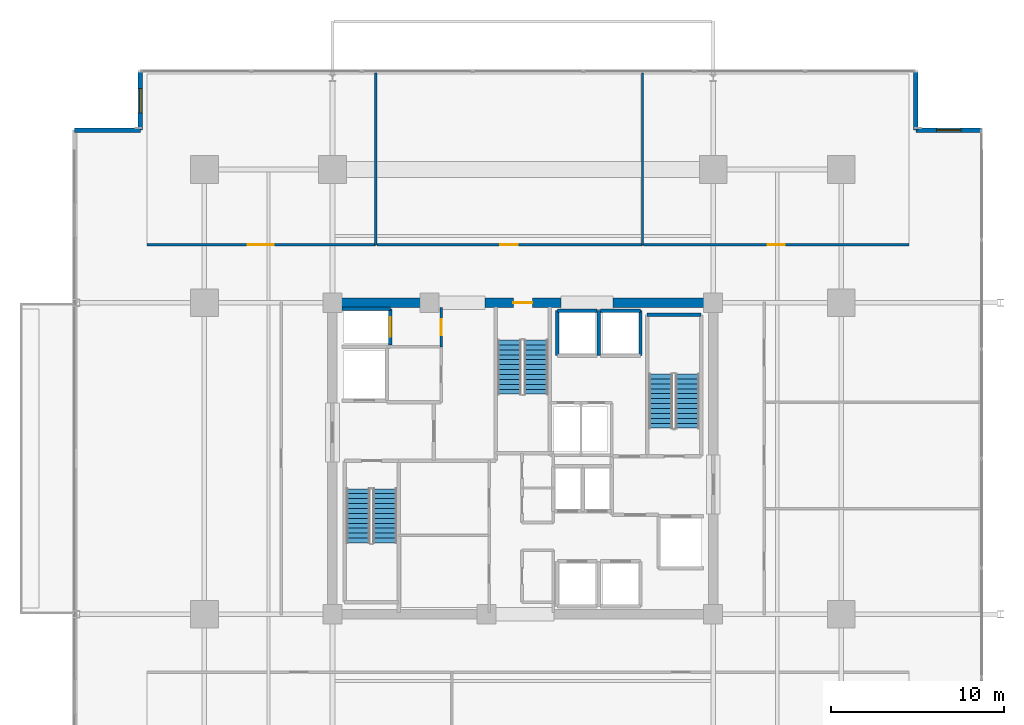
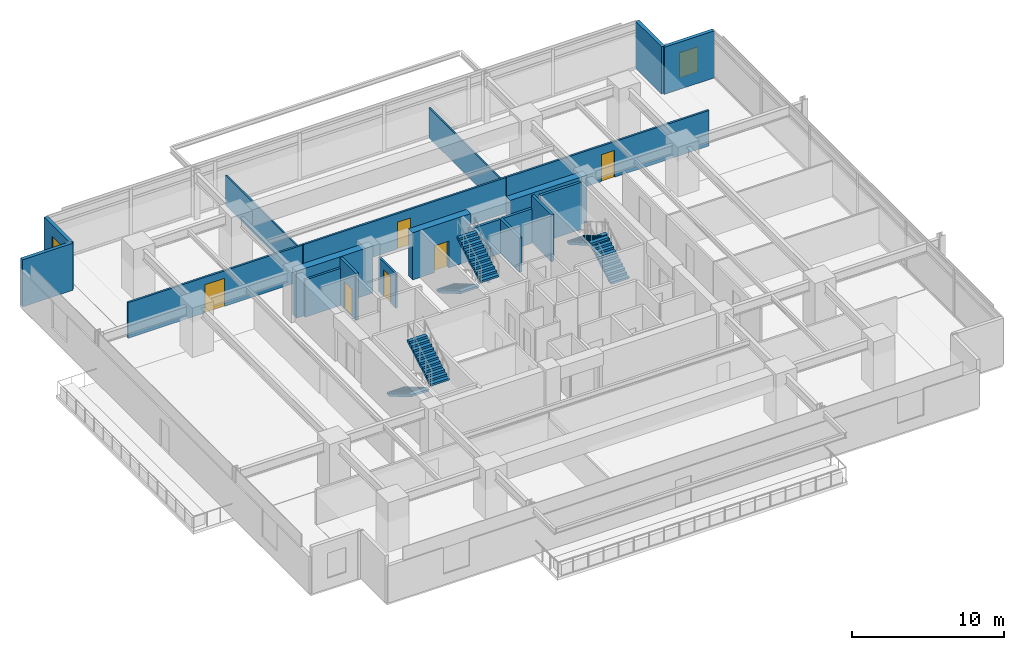
# One storey, part 18 of 24: 21 walls, 6 doors, 6 stair flights, 2 windows, 8 openings, 3 elements without a shape of their own.
"""IFC4 building model written with IfcOpenShell, lengths in metres."""

from ifc_helpers import new_model, si_unit, direction, frame, frame_2d, origin, place, context, subcontext, project, spatial, polyline, rectangle, outline, extrude, material, layer, layer_set, type_object, element, fill, aggregate, save


model = new_model("IFC4")

# Units and contexts
model_context = context("Model", 3, precision=1e-05, world=origin(), true_north=direction((0.0, 1.0)))
body_context = subcontext(model_context, "Body", "Model", "MODEL_VIEW")
ifc_project = project(units=[si_unit("LENGTHUNIT", "METRE"), si_unit("AREAUNIT", "SQUARE_METRE"), si_unit("VOLUMEUNIT", "CUBIC_METRE"), si_unit("PLANEANGLEUNIT", "RADIAN"), si_unit("MASSUNIT", "GRAM", prefix="KILO")], contexts=[model_context])

# Site, building, storey
site_placement = place(None, origin())
site = spatial("IfcSite", under=ifc_project, at=site_placement, CompositionType="ELEMENT")
building_placement = place(site_placement, origin())
building = spatial("IfcBuilding", under=site, at=building_placement, Name="Kovane Verandah Tower", CompositionType="ELEMENT")
storey_placement = place(building_placement, frame((0.0, 0.0, 144.39990234375)))
storey = spatial("IfcBuildingStorey", under=building, at=storey_placement, Name="L33", CompositionType="ELEMENT", Elevation=144.39990234375)

# Wall, opening, door
ifc_material_1 = material(Name="Fire-Rated Gypsum Stud Partition", Category="gypsum")
ifc_layer_1 = layer(ifc_material_1, 0.14990234375)
ifc_layer_set_1 = layer_set([ifc_layer_1], Name="Fire-Rated Gypsum Stud Partition")
wall_type_1 = type_object("IfcWallType", Name="WL-COR-150", PredefinedType="PARTITIONING", material=ifc_layer_set_1)
wall_1_placement = place(storey_placement, frame((35.280029296875, 33.949951171875, 0.0), z_axis=(0.0, 0.0, 1.0), x_axis=(0.0, 1.0, 0.0)))
wall_1 = element("IfcWall", 1, at=wall_1_placement, inside=storey, type_object=wall_type_1, Name="L33 Goods Lift Lobby East Fire Partition", PredefinedType="PARTITIONING", context=body_context, shape_type="SweptSolid", body=[
    extrude(rectangle(XDim=2.27001953125, YDim=0.14990234375, at=frame_2d((1.135009765625, 0.0))), origin(), (0.0, 0.0, 1.0), 2.755126953125),
])
opening_1_placement = place(wall_1_placement, frame((0.659912109375, 0.0, 0.0)))
opening_1 = element("IfcOpeningElement", 2, at=opening_1_placement, cuts=wall_1, Name="Opening DR-L33-008", PredefinedType="OPENING", context=body_context, shape_type="SweptSolid", body=[
    extrude(rectangle(XDim=0.949951171875, YDim=2.14990234375, at=frame_2d((0.47509765625, 1.074951171875))), frame((0.0, 0.074951171875, 0.0), z_axis=(0.0, -1.0, 0.0), x_axis=(1.0, 0.0, 0.0)), (0.0, 0.0, 1.0), 0.14990234375),
])
ifc_material_2 = material(Name="Fire-Rated Steel Refuge and Lobby Door", Category="steel")
door_type_1 = type_object("IfcDoorType", Name="DR-FIRE-950", OperationType="SINGLE_SWING_LEFT", PredefinedType="DOOR", material=ifc_material_2)
door_1_placement = place(opening_1_placement, origin())
door_1 = element("IfcDoor", 3, at=door_1_placement, inside=storey, type_object=door_type_1, Name="L33 Goods Lift Lobby Fire Door", OperationType="SINGLE_SWING_RIGHT", OverallHeight=2.14990234375, OverallWidth=0.949951171875, PredefinedType="DOOR", context=body_context, shape_type="SweptSolid", body=[
    extrude(rectangle(XDim=0.949951171875, YDim=2.14990234375, at=frame_2d((0.47509765625, 1.074951171875))), frame((0.0, 0.02490234375, 0.0), z_axis=(0.0, -1.0, 0.0), x_axis=(1.0, 0.0, 0.0)), (0.0, 0.0, 1.0), 0.050048828125),
])
fill(opening_1, door_1)

wall_2_placement = place(storey_placement, frame((18.29296875, 39.85009765625, 0.0), z_axis=(0.0, 0.0, 1.0), x_axis=(1.0, 0.0, 0.0)))
wall_2 = element("IfcWall", 4, at=wall_2_placement, inside=storey, type_object=wall_type_1, Name="L33 Client Boardroom N1 Corridor Partition", PredefinedType="PARTITIONING", context=body_context, shape_type="SweptSolid", body=[
    extrude(rectangle(XDim=13.206298828125, YDim=0.14990234375, at=frame_2d((6.60302734375, 0.0))), origin(), (0.0, 0.0, 1.0), 2.85009765625),
])
opening_2_placement = place(wall_2_placement, frame((5.818115234375, 0.0, 0.0)))
opening_2 = element("IfcOpeningElement", 5, at=opening_2_placement, cuts=wall_2, Name="Opening DR-L33-019", PredefinedType="OPENING", context=body_context, shape_type="SweptSolid", body=[
    extrude(rectangle(XDim=1.5, YDim=2.25, at=frame_2d((0.75, 1.125))), frame((0.0, 0.074951171875, 0.0), z_axis=(0.0, -1.0, 0.0), x_axis=(1.0, 0.0, 0.0)), (0.0, 0.0, 1.0), 0.14990234375),
])
ifc_material_3 = material(Name="Glazed Timber Fire-Rated Double Door", Category="wood")
door_type_2 = type_object("IfcDoorType", Name="DR-CONF-1500", OperationType="DOUBLE_DOOR_SINGLE_SWING", PredefinedType="DOOR", material=ifc_material_3)
door_2_placement = place(opening_2_placement, origin())
door_2 = element("IfcDoor", 6, at=door_2_placement, inside=storey, type_object=door_type_2, Name="L33 Client Boardroom N1 Entrance Door", OperationType="DOUBLE_DOOR_SINGLE_SWING", OverallHeight=2.25, OverallWidth=1.5, PredefinedType="DOOR", context=body_context, shape_type="SweptSolid", body=[
    extrude(rectangle(XDim=1.5, YDim=2.25, at=frame_2d((0.75, 1.125))), frame((0.0, 0.02490234375, 0.0), z_axis=(0.0, -1.0, 0.0), x_axis=(1.0, 0.0, 0.0)), (0.0, 0.0, 1.0), 0.050048828125),
])
fill(opening_2, door_2)

wall_3_placement = place(storey_placement, frame((31.569091796875, 39.85009765625, 0.0), z_axis=(0.0, 0.0, 1.0), x_axis=(1.0, 0.0, 0.0)))
wall_3 = element("IfcWall", 7, at=wall_3_placement, inside=storey, type_object=wall_type_1, Name="L33 Meeting Room N2 Corridor Partition", PredefinedType="PARTITIONING", context=body_context, shape_type="SweptSolid", body=[
    extrude(rectangle(XDim=15.33740234375, YDim=0.14990234375, at=frame_2d((7.668701171875, 0.0))), origin(), (0.0, 0.0, 1.0), 2.85009765625),
])
opening_3_placement = place(wall_3_placement, frame((7.133544921875, 0.0, 0.0)))
opening_3 = element("IfcOpeningElement", 8, at=opening_3_placement, cuts=wall_3, Name="Opening DR-L33-020", PredefinedType="OPENING", context=body_context, shape_type="SweptSolid", body=[
    extrude(rectangle(XDim=1.0, YDim=2.14990234375, at=frame_2d((0.5, 1.074951171875))), frame((0.0, 0.074951171875, 0.0), z_axis=(0.0, -1.0, 0.0), x_axis=(1.0, 0.0, 0.0)), (0.0, 0.0, 1.0), 0.14990234375),
])
ifc_material_4 = material(Name="FSC Spotted-Gum Timber Fire-Rated Office Door", Category="wood")
door_type_3 = type_object("IfcDoorType", Name="DR-OFF-1000", OperationType="SINGLE_SWING_LEFT", PredefinedType="DOOR", material=ifc_material_4)
door_3_placement = place(opening_3_placement, origin())
door_3 = element("IfcDoor", 9, at=door_3_placement, inside=storey, type_object=door_type_3, Name="L33 Meeting Room N2 Entrance Door", OperationType="SINGLE_SWING_LEFT", OverallHeight=2.14990234375, OverallWidth=1.0, PredefinedType="DOOR", context=body_context, shape_type="SweptSolid", body=[
    extrude(rectangle(XDim=1.0, YDim=2.14990234375, at=frame_2d((0.5, 1.074951171875))), frame((0.0, 0.02490234375, 0.0), z_axis=(0.0, -1.0, 0.0), x_axis=(1.0, 0.0, 0.0)), (0.0, 0.0, 1.0), 0.050048828125),
])
fill(opening_3, door_3)

wall_4_placement = place(storey_placement, frame((46.9765625, 39.85009765625, 0.0), z_axis=(0.0, 0.0, 1.0), x_axis=(1.0, 0.0, 0.0)))
wall_4 = element("IfcWall", 10, at=wall_4_placement, inside=storey, type_object=wall_type_1, Name="L33 Focus Studio N3 Corridor Partition", PredefinedType="PARTITIONING", context=body_context, shape_type="SweptSolid", body=[
    extrude(rectangle(XDim=15.337158203125, YDim=0.14990234375, at=frame_2d((7.66845703125, 0.0))), origin(), (0.0, 0.0, 1.0), 2.85009765625),
])
opening_4_placement = place(wall_4_placement, frame((7.168701171875, 0.0, 0.0)))
opening_4 = element("IfcOpeningElement", 11, at=opening_4_placement, cuts=wall_4, Name="Opening DR-L33-021", PredefinedType="OPENING", context=body_context, shape_type="SweptSolid", body=[
    extrude(rectangle(XDim=1.0, YDim=2.14990234375, at=frame_2d((0.5, 1.074951171875))), frame((0.0, 0.074951171875, 0.0), z_axis=(0.0, -1.0, 0.0), x_axis=(1.0, 0.0, 0.0)), (0.0, 0.0, 1.0), 0.14990234375),
])
door_4_placement = place(opening_4_placement, origin())
door_4 = element("IfcDoor", 12, at=door_4_placement, inside=storey, type_object=door_type_3, Name="L33 Focus Studio N3 Entrance Door", OperationType="SINGLE_SWING_RIGHT", OverallHeight=2.14990234375, OverallWidth=1.0, PredefinedType="DOOR", context=body_context, shape_type="SweptSolid", body=[
    extrude(rectangle(XDim=1.0, YDim=2.14990234375, at=frame_2d((0.5, 1.074951171875))), frame((0.0, 0.02490234375, 0.0), z_axis=(0.0, -1.0, 0.0), x_axis=(1.0, 0.0, 0.0)), (0.0, 0.0, 1.0), 0.050048828125),
])
fill(opening_4, door_4)

# Wall
ifc_material_5 = material(Name="Concrete C60/75", Category="concrete")
ifc_layer_2 = layer(ifc_material_5, 0.550048828125)
ifc_layer_set_2 = layer_set([ifc_layer_2], Name="Concrete C60/75")
wall_type_2 = type_object("IfcWallType", Name="WL-CORE-550", PredefinedType="SHEAR", material=ifc_layer_set_2)
wall_5_placement = place(storey_placement, frame((29.0, 36.5, 0.0), z_axis=(0.0, 0.0, 1.0), x_axis=(1.0, 0.0, 0.0)))
element("IfcWall", 13, at=wall_5_placement, inside=storey, type_object=wall_type_2, Name="L33 Core Shear Wall CN-1", PredefinedType="SHEAR", context=body_context, shape_type="SweptSolid", body=[
    extrude(rectangle(XDim=5.800048828125, YDim=0.550048828125, at=frame_2d((2.89990234375, 0.0))), origin(), (0.0, 0.0, 1.0), 3.775146484375),
])

# Wall, opening, door
wall_6_placement = place(storey_placement, frame((37.800048828125, 36.5, 0.0), z_axis=(0.0, 0.0, 1.0), x_axis=(1.0, 0.0, 0.0)))
wall_6 = element("IfcWall", 14, at=wall_6_placement, inside=storey, type_object=wall_type_2, Name="L33 Core Shear Wall CN-2", PredefinedType="SHEAR", context=body_context, shape_type="SweptSolid", body=[
    extrude(rectangle(XDim=4.39990234375, YDim=0.550048828125, at=frame_2d((2.199951171875, 0.0))), origin(), (0.0, 0.0, 1.0), 3.775146484375),
])
opening_5_placement = place(wall_6_placement, frame((1.64990234375, 0.0, 0.0)))
opening_5 = element("IfcOpeningElement", 15, at=opening_5_placement, cuts=wall_6, Name="Opening DR-L33-011", PredefinedType="OPENING", context=body_context, shape_type="SweptSolid", body=[
    extrude(rectangle(XDim=1.10009765625, YDim=2.14990234375, at=frame_2d((0.550048828125, 1.074951171875))), frame((0.0, 0.27490234375, 0.0), z_axis=(0.0, -1.0, 0.0), x_axis=(1.0, 0.0, 0.0)), (0.0, 0.0, 1.0), 0.550048828125),
])
ifc_material_6 = material(Name="Fire-Rated Steel Exit Door", Category="steel")
door_type_4 = type_object("IfcDoorType", Name="DR-STAIR-1100", OperationType="SINGLE_SWING_LEFT", PredefinedType="DOOR", material=ifc_material_6)
door_5_placement = place(opening_5_placement, origin())
door_5 = element("IfcDoor", 16, at=door_5_placement, inside=storey, type_object=door_type_4, Name="L33 ST-03 Fire Exit Stair Door", OperationType="SINGLE_SWING_RIGHT", OverallHeight=2.14990234375, OverallWidth=1.10009765625, PredefinedType="DOOR", context=body_context, shape_type="SweptSolid", body=[
    extrude(rectangle(XDim=1.10009765625, YDim=2.14990234375, at=frame_2d((0.550048828125, 1.074951171875))), frame((0.0, 0.02490234375, 0.0), z_axis=(0.0, -1.0, 0.0), x_axis=(1.0, 0.0, 0.0)), (0.0, 0.0, 1.0), 0.050048828125),
])
fill(opening_5, door_5)

# Walls
wall_7_placement = place(storey_placement, frame((45.199951171875, 36.5, 0.0), z_axis=(0.0, 0.0, 1.0), x_axis=(1.0, 0.0, 0.0)))
element("IfcWall", 17, at=wall_7_placement, inside=storey, type_object=wall_type_2, Name="L33 Core Shear Wall CN-3", PredefinedType="SHEAR", context=body_context, shape_type="SweptSolid", body=[
    extrude(rectangle(XDim=5.800048828125, YDim=0.550048828125, at=frame_2d((2.89990234375, 0.0))), origin(), (0.0, 0.0, 1.0), 3.775146484375),
])
ifc_material_7 = material(Name="Concrete C45/55 Lift Shaft Wall", Category="concrete")
ifc_layer_3 = layer(ifc_material_7, 0.199951171875)
ifc_layer_set_3 = layer_set([ifc_layer_3], Name="Concrete C45/55 Lift Shaft Wall")
wall_type_3 = type_object("IfcWallType", Name="WL-LIFT-200", PredefinedType="SOLIDWALL", material=ifc_layer_set_3)
wall_8_placement = place(storey_placement, frame((32.35009765625, 36.14990234375, 0.0), z_axis=(0.0, 0.0, 1.0), x_axis=(-1.0, 0.0, 0.0)))
element("IfcWall", 18, at=wall_8_placement, inside=storey, type_object=wall_type_3, Name="L33 Lift GL-01 N Shaft Wall", PredefinedType="SOLIDWALL", context=body_context, shape_type="SweptSolid", body=[
    extrude(rectangle(XDim=2.800048828125, YDim=0.199951171875, at=frame_2d((1.39990234375, 0.0))), origin(), (0.0, 0.0, 1.0), 2.9853515625),
])

# Wall, opening, door
wall_9_placement = place(storey_placement, frame((32.35009765625, 34.050048828125, 0.0), z_axis=(0.0, 0.0, 1.0), x_axis=(0.0, 1.0, 0.0)))
wall_9 = element("IfcWall", 19, at=wall_9_placement, inside=storey, type_object=wall_type_3, Name="L33 Lift GL-01 E Shaft Wall", PredefinedType="SOLIDWALL", context=body_context, shape_type="SweptSolid", body=[
    extrude(rectangle(XDim=2.099853515625, YDim=0.199951171875, at=frame_2d((1.0498046875, 0.0))), origin(), (0.0, 0.0, 1.0), 3.775146484375),
])
opening_6_placement = place(wall_9_placement, frame((0.5, 0.0, 0.0)))
opening_6 = element("IfcOpeningElement", 20, at=opening_6_placement, cuts=wall_9, Name="Opening LD-L33-003", PredefinedType="OPENING", context=body_context, shape_type="SweptSolid", body=[
    extrude(rectangle(XDim=1.10009765625, YDim=2.199951171875, at=frame_2d((0.550048828125, 1.10009765625))), frame((0.0, 0.10009765625, 0.0), z_axis=(0.0, -1.0, 0.0), x_axis=(1.0, 0.0, 0.0)), (0.0, 0.0, 1.0), 0.199951171875),
])
ifc_material_8 = material(Name="Brushed Stainless Steel Sliding Lift Landing Door", Category="steel")
door_type_5 = type_object("IfcDoorType", Name="DR-LIFT-1100", OperationType="SLIDING_TO_RIGHT", PredefinedType="DOOR", material=ifc_material_8)
door_6_placement = place(opening_6_placement, origin())
door_6 = element("IfcDoor", 21, at=door_6_placement, inside=storey, type_object=door_type_5, Name="L33 Lift GL-01 Sliding Landing Door", OperationType="SLIDING_TO_RIGHT", OverallHeight=2.199951171875, OverallWidth=1.10009765625, PredefinedType="DOOR", context=body_context, shape_type="SweptSolid", body=[
    extrude(rectangle(XDim=1.10009765625, YDim=2.199951171875, at=frame_2d((0.550048828125, 1.10009765625))), frame((0.0, 0.02490234375, 0.0), z_axis=(0.0, -1.0, 0.0), x_axis=(1.0, 0.0, 0.0)), (0.0, 0.0, 1.0), 0.050048828125),
])
fill(opening_6, door_6)

# Walls
wall_10_placement = place(storey_placement, frame((44.300048828125, 36.050048828125, 0.0), z_axis=(0.0, 0.0, 1.0), x_axis=(-1.0, 0.0, 0.0)))
element("IfcWall", 22, at=wall_10_placement, inside=storey, type_object=wall_type_3, Name="L33 Lift SL-01 N Shaft Wall", PredefinedType="SOLIDWALL", context=body_context, shape_type="SweptSolid", body=[
    extrude(rectangle(XDim=2.300048828125, YDim=0.199951171875, at=frame_2d((1.14990234375, 0.0))), origin(), (0.0, 0.0, 1.0), 2.755126953125),
])
for number, where, z_axis, x_axis, name in (
    (23, (42.0, 36.050048828125, 0.0), (0.0, 0.0, 1.0), (0.0, -1.0, 0.0), "L33 Lift SL-01 W Shaft Wall"),
    (24, (44.39990234375, 33.449951171875, 0.0), (0.0, 0.0, 1.0), (0.0, 1.0, 0.0), "L33 Lift OL-01 and SL-01 Shared Shaft Wall"),
):
    element("IfcWall", number, at=place(storey_placement, frame(where, z_axis=z_axis, x_axis=x_axis)), inside=storey, type_object=wall_type_3, Name=name, PredefinedType="SOLIDWALL", context=body_context, shape_type="SweptSolid", body=[
        extrude(rectangle(XDim=2.60009765625, YDim=0.199951171875, at=frame_2d((1.300048828125, 0.0))), origin(), (0.0, 0.0, 1.0), 2.755126953125),
    ])
wall_11_placement = place(storey_placement, frame((46.800048828125, 36.050048828125, 0.0), z_axis=(0.0, 0.0, 1.0), x_axis=(-1.0, 0.0, 0.0)))
element("IfcWall", 25, at=wall_11_placement, inside=storey, type_object=wall_type_3, Name="L33 Lift OL-01 N Shaft Wall", PredefinedType="SOLIDWALL", context=body_context, shape_type="SweptSolid", body=[
    extrude(rectangle(XDim=2.300048828125, YDim=0.199951171875, at=frame_2d((1.14990234375, 0.0))), origin(), (0.0, 0.0, 1.0), 2.755126953125),
])
wall_12_placement = place(storey_placement, frame((46.800048828125, 33.449951171875, 0.0), z_axis=(0.0, 0.0, 1.0), x_axis=(0.0, 1.0, 0.0)))
element("IfcWall", 26, at=wall_12_placement, inside=storey, type_object=wall_type_3, Name="L33 Lift OL-01 E Shaft Wall", PredefinedType="SOLIDWALL", context=body_context, shape_type="SweptSolid", body=[
    extrude(rectangle(XDim=2.60009765625, YDim=0.199951171875, at=frame_2d((1.300048828125, 0.0))), origin(), (0.0, 0.0, 1.0), 3.775146484375),
])
ifc_material_9 = material(Name="Acoustic Fire-Rated Gypsum Partition", Category="gypsum")
ifc_layer_4 = layer(ifc_material_9, 0.1201171875)
ifc_layer_set_4 = layer_set([ifc_layer_4], Name="Acoustic Fire-Rated Gypsum Partition")
wall_type_4 = type_object("IfcWallType", Name="WL-PART-120", PredefinedType="PARTITIONING", material=ifc_layer_set_4)
for number, where, z_axis, x_axis, name in (
    (27, (31.499267578125, 39.85009765625, 0.0), (0.0, 0.0, 1.0), (0.0, 1.0, 0.0), "L33 Client Boardroom N1 Dividing Partition"),
    (28, (46.906494140625, 39.85009765625, 0.0), (0.0, 0.0, 1.0), (0.0, 1.0, 0.0), "L33 Meeting Room N2 Dividing Partition"),
):
    element("IfcWall", number, at=place(storey_placement, frame(where, z_axis=z_axis, x_axis=x_axis)), inside=storey, type_object=wall_type_4, Name=name, PredefinedType="PARTITIONING", context=body_context, shape_type="SweptSolid", body=[
        extrude(rectangle(XDim=9.9248046875, YDim=0.1201171875, at=frame_2d((4.96240234375, 0.0))), origin(), (0.0, 0.0, 1.0), 2.405029296875),
    ])
ifc_material_10 = material(Name="Concrete C45/55", Category="concrete")
ifc_layer_5 = layer(ifc_material_10, 0.199951171875)
ifc_layer_set_5 = layer_set([ifc_layer_5], Name="Concrete C45/55")
wall_type_5 = type_object("IfcWallType", Name="WL-SHAFT-200", PredefinedType="SOLIDWALL", material=ifc_layer_set_5)
wall_13_placement = place(storey_placement, frame((47.179931640625, 35.800048828125, 0.0), z_axis=(0.0, 0.0, 1.0), x_axis=(1.0, 0.0, 0.0)))
element("IfcWall", 29, at=wall_13_placement, inside=storey, type_object=wall_type_5, Name="W-L33-ST02-N", PredefinedType="SOLIDWALL", context=body_context, shape_type="SweptSolid", body=[
    extrude(rectangle(XDim=3.1201171875, YDim=0.199951171875, at=frame_2d((1.56005859375, 0.0))), origin(), (0.0, 0.0, 1.0), 3.775146484375),
])

# Wall, opening, window
ifc_material_11 = material(Name="Concrete C45/55 Insulated Spandrel Wall", Category="concrete")
ifc_layer_6 = layer(ifc_material_11, 0.260009765625)
ifc_layer_set_6 = layer_set([ifc_layer_6], Name="Concrete C45/55 Insulated Spandrel Wall")
wall_type_6 = type_object("IfcWallType", Name="WL-SPANDREL-260", PredefinedType="PARAPET", material=ifc_layer_set_6)
wall_14_placement = place(storey_placement, frame((66.513916015625, 46.47509765625, 0.0), z_axis=(0.0, 0.0, 1.0), x_axis=(-1.0, 0.0, 0.0)))
wall_14 = element("IfcWall", 30, at=wall_14_placement, inside=storey, type_object=wall_type_6, Name="L33 NE Notch Cheek Wall 1", PredefinedType="PARAPET", context=body_context, shape_type="SweptSolid", body=[
    extrude(rectangle(XDim=3.800048828125, YDim=0.260009765625, at=frame_2d((1.89990234375, 0.0))), origin(), (0.0, 0.0, 1.0), 3.775146484375),
])
opening_7_placement = place(wall_14_placement, frame((1.199951171875, 0.0, 0.85009765625)))
opening_7 = element("IfcOpeningElement", 31, at=opening_7_placement, cuts=wall_14, Name="Opening W-01", PredefinedType="OPENING", context=body_context, shape_type="SweptSolid", body=[
    extrude(rectangle(XDim=1.39990234375, YDim=2.0, at=frame_2d((0.699951171875, 1.0))), frame((0.0, 0.1298828125, 0.0), z_axis=(0.0, -1.0, 0.0), x_axis=(1.0, 0.0, 0.0)), (0.0, 0.0, 1.0), 0.260009765625),
])
ifc_material_12 = material(Name="Clear Low-E Laminated Double Glazing in Anodised Frame", Category="glass")
window_type = type_object("IfcWindowType", Name="WN-OPER-1400x2000", PartitioningType="SINGLE_PANEL", PredefinedType="WINDOW", material=ifc_material_12)
window_1_placement = place(opening_7_placement, origin())
window_1 = element("IfcWindow", 32, at=window_1_placement, inside=storey, type_object=window_type, Name="L33 NE Re-Entrant Corner Operable Window", OverallHeight=2.0, OverallWidth=1.39990234375, PartitioningType="SINGLE_PANEL", PredefinedType="WINDOW", context=body_context, shape_type="SweptSolid", body=[
    extrude(rectangle(XDim=1.39990234375, YDim=2.0, at=frame_2d((0.699951171875, 1.0))), frame((0.0, 0.030029296875, 0.0), z_axis=(0.0, -1.0, 0.0), x_axis=(1.0, 0.0, 0.0)), (0.0, 0.0, 1.0), 0.06005859375),
])
fill(opening_7, window_1)

# Wall
wall_15_placement = place(storey_placement, frame((62.7138671875, 46.47509765625, 0.0), z_axis=(0.0, 0.0, 1.0), x_axis=(0.0, 1.0, 0.0)))
element("IfcWall", 33, at=wall_15_placement, inside=storey, type_object=wall_type_6, Name="L33 NE Notch Cheek Wall 2", PredefinedType="PARAPET", context=body_context, shape_type="SweptSolid", body=[
    extrude(rectangle(XDim=3.39990234375, YDim=0.260009765625, at=frame_2d((1.699951171875, 0.0))), origin(), (0.0, 0.0, 1.0), 3.775146484375),
])

# Wall, opening, window
wall_16_placement = place(storey_placement, frame((17.892822265625, 49.875, 0.0), z_axis=(0.0, 0.0, 1.0), x_axis=(0.0, -1.0, 0.0)))
wall_16 = element("IfcWall", 34, at=wall_16_placement, inside=storey, type_object=wall_type_6, Name="L33 NW Notch Cheek Wall 1", PredefinedType="PARAPET", context=body_context, shape_type="SweptSolid", body=[
    extrude(rectangle(XDim=3.39990234375, YDim=0.260009765625, at=frame_2d((1.699951171875, 0.0))), origin(), (0.0, 0.0, 1.0), 3.775146484375),
])
opening_8_placement = place(wall_16_placement, frame((1.0, 0.0, 0.85009765625)))
opening_8 = element("IfcOpeningElement", 35, at=opening_8_placement, cuts=wall_16, Name="Opening W-01", PredefinedType="OPENING", context=body_context, shape_type="SweptSolid", body=[
    extrude(rectangle(XDim=1.39990234375, YDim=2.0, at=frame_2d((0.699951171875, 1.0))), frame((0.0, 0.1298828125, 0.0), z_axis=(0.0, -1.0, 0.0), x_axis=(1.0, 0.0, 0.0)), (0.0, 0.0, 1.0), 0.260009765625),
])
window_2_placement = place(opening_8_placement, origin())
window_2 = element("IfcWindow", 36, at=window_2_placement, inside=storey, type_object=window_type, Name="L33 NW Re-Entrant Corner Operable Window", OverallHeight=2.0, OverallWidth=1.39990234375, PartitioningType="SINGLE_PANEL", PredefinedType="WINDOW", context=body_context, shape_type="SweptSolid", body=[
    extrude(rectangle(XDim=1.39990234375, YDim=2.0, at=frame_2d((0.699951171875, 1.0))), frame((0.0, 0.030029296875, 0.0), z_axis=(0.0, -1.0, 0.0), x_axis=(1.0, 0.0, 0.0)), (0.0, 0.0, 1.0), 0.06005859375),
])
fill(opening_8, window_2)

# Wall
wall_17_placement = place(storey_placement, frame((17.892822265625, 46.47509765625, 0.0), z_axis=(0.0, 0.0, 1.0), x_axis=(-1.0, 0.0, 0.0)))
element("IfcWall", 37, at=wall_17_placement, inside=storey, type_object=wall_type_6, Name="L33 NW Notch Cheek Wall 2", PredefinedType="PARAPET", context=body_context, shape_type="SweptSolid", body=[
    extrude(rectangle(XDim=3.7998046875, YDim=0.260009765625, at=frame_2d((1.89990234375, 0.0))), origin(), (0.0, 0.0, 1.0), 3.775146484375),
])

# Stair, stair flights
stair_type = type_object("IfcStairType", Name="ST-CORE-1380", PredefinedType="HALF_TURN_STAIR", material=ifc_material_10)
stair_1_placement = place(storey_placement, origin())
stair_1 = element("IfcStair", 38, at=stair_1_placement, inside=storey, type_object=stair_type, Name="L33 Exit Stair ST-01", PredefinedType="HALF_TURN_STAIR")
stair_flight_type = type_object("IfcStairFlightType", Name="STF-CORE-1380", PredefinedType="STRAIGHT", material=ifc_material_10)
stair_flight_1_placement = place(storey_placement, frame((30.489990234375, 25.75, 0.0), z_axis=(0.0, 0.0, 1.0), x_axis=(0.0, -1.0, 0.0)))
stair_flight_1 = element("IfcStairFlight", 39, at=stair_flight_1_placement, type_object=stair_flight_type, Name="ST-01 flight 1", NumberOfRisers=12, NumberOfTreads=11, PredefinedType="STRAIGHT", RiserHeight=0.166666667, TreadLength=0.285, context=body_context, shape_type="SweptSolid", body=[
    extrude(outline(polyline([(0.0, 0.0), (0.0, 0.166748046875), (0.284912109375, 0.166748046875), (0.284912109375, 0.333251953125), (0.570068359375, 0.333251953125), (0.570068359375, 0.5), (0.85498046875, 0.5), (0.85498046875, 0.666748046875), (1.139892578125, 0.666748046875), (1.139892578125, 0.833251953125), (1.425048828125, 0.833251953125), (1.425048828125, 1.0), (1.7099609375, 1.0), (1.7099609375, 1.166748046875), (1.9951171875, 1.166748046875), (1.9951171875, 1.333251953125), (2.280029296875, 1.333251953125), (2.280029296875, 1.5), (2.56494140625, 1.5), (2.56494140625, 1.666748046875), (2.85009765625, 1.666748046875), (2.85009765625, 1.833251953125), (3.135009765625, 1.833251953125), (3.135009765625, 2.0), (3.135009765625, 1.65966796875), (0.296875, 0.0), (0.0, 0.0)])), frame((0.0, 0.68994140625, 0.0), z_axis=(0.0, -1.0, 0.0), x_axis=(1.0, 0.0, 0.0)), (0.0, 0.0, 1.0), 1.3798828125),
])
stair_flight_2_placement = place(storey_placement, frame((32.030029296875, 22.614990234375, 2.0), z_axis=(0.0, 0.0, 1.0), x_axis=(0.0, 1.0, 0.0)))
stair_flight_2 = element("IfcStairFlight", 40, at=stair_flight_2_placement, type_object=stair_flight_type, Name="ST-01 flight 2", NumberOfRisers=12, NumberOfTreads=11, PredefinedType="STRAIGHT", RiserHeight=0.166666667, TreadLength=0.285, context=body_context, shape_type="SweptSolid", body=[
    extrude(outline(polyline([(0.0, 0.0), (0.0, 0.166748046875), (0.284912109375, 0.166748046875), (0.284912109375, 0.333251953125), (0.570068359375, 0.333251953125), (0.570068359375, 0.5), (0.85498046875, 0.5), (0.85498046875, 0.666748046875), (1.139892578125, 0.666748046875), (1.139892578125, 0.833251953125), (1.425048828125, 0.833251953125), (1.425048828125, 1.0), (1.7099609375, 1.0), (1.7099609375, 1.166748046875), (1.9951171875, 1.166748046875), (1.9951171875, 1.333251953125), (2.280029296875, 1.333251953125), (2.280029296875, 1.5), (2.56494140625, 1.5), (2.56494140625, 1.666748046875), (2.85009765625, 1.666748046875), (2.85009765625, 1.833251953125), (3.135009765625, 1.833251953125), (3.135009765625, 2.0), (3.135009765625, 1.65966796875), (0.296875, 0.0), (0.0, 0.0)])), frame((0.0, 0.68994140625, 0.0), z_axis=(0.0, -1.0, 0.0), x_axis=(1.0, 0.0, 0.0)), (0.0, 0.0, 1.0), 1.3798828125),
])
aggregate(stair_1, [stair_flight_1, stair_flight_2])

stair_2_placement = place(storey_placement, origin())
stair_2 = element("IfcStair", 41, at=stair_2_placement, inside=storey, type_object=stair_type, Name="L33 Exit Stair ST-02", PredefinedType="HALF_TURN_STAIR")
stair_flight_3_placement = place(storey_placement, frame((49.510009765625, 29.25, 0.0), z_axis=(0.0, 0.0, 1.0), x_axis=(0.0, 1.0, 0.0)))
stair_flight_3 = element("IfcStairFlight", 42, at=stair_flight_3_placement, type_object=stair_flight_type, Name="ST-02 flight 1", NumberOfRisers=12, NumberOfTreads=11, PredefinedType="STRAIGHT", RiserHeight=0.166666667, TreadLength=0.285, context=body_context, shape_type="SweptSolid", body=[
    extrude(outline(polyline([(0.0, 0.0), (0.0, 0.166748046875), (0.284912109375, 0.166748046875), (0.284912109375, 0.333251953125), (0.570068359375, 0.333251953125), (0.570068359375, 0.5), (0.85498046875, 0.5), (0.85498046875, 0.666748046875), (1.139892578125, 0.666748046875), (1.139892578125, 0.833251953125), (1.425048828125, 0.833251953125), (1.425048828125, 1.0), (1.7099609375, 1.0), (1.7099609375, 1.166748046875), (1.9951171875, 1.166748046875), (1.9951171875, 1.333251953125), (2.280029296875, 1.333251953125), (2.280029296875, 1.5), (2.56494140625, 1.5), (2.56494140625, 1.666748046875), (2.85009765625, 1.666748046875), (2.85009765625, 1.833251953125), (3.135009765625, 1.833251953125), (3.135009765625, 2.0), (3.135009765625, 1.65966796875), (0.296875, 0.0), (0.0, 0.0)])), frame((0.0, 0.68994140625, 0.0), z_axis=(0.0, -1.0, 0.0), x_axis=(1.0, 0.0, 0.0)), (0.0, 0.0, 1.0), 1.3798828125),
])
stair_flight_4_placement = place(storey_placement, frame((47.969970703125, 32.385009765625, 2.0), z_axis=(0.0, 0.0, 1.0), x_axis=(0.0, -1.0, 0.0)))
stair_flight_4 = element("IfcStairFlight", 43, at=stair_flight_4_placement, type_object=stair_flight_type, Name="ST-02 flight 2", NumberOfRisers=12, NumberOfTreads=11, PredefinedType="STRAIGHT", RiserHeight=0.166666667, TreadLength=0.285, context=body_context, shape_type="SweptSolid", body=[
    extrude(outline(polyline([(0.0, 0.0), (0.0, 0.166748046875), (0.284912109375, 0.166748046875), (0.284912109375, 0.333251953125), (0.570068359375, 0.333251953125), (0.570068359375, 0.5), (0.85498046875, 0.5), (0.85498046875, 0.666748046875), (1.139892578125, 0.666748046875), (1.139892578125, 0.833251953125), (1.425048828125, 0.833251953125), (1.425048828125, 1.0), (1.7099609375, 1.0), (1.7099609375, 1.166748046875), (1.9951171875, 1.166748046875), (1.9951171875, 1.333251953125), (2.280029296875, 1.333251953125), (2.280029296875, 1.5), (2.56494140625, 1.5), (2.56494140625, 1.666748046875), (2.85009765625, 1.666748046875), (2.85009765625, 1.833251953125), (3.135009765625, 1.833251953125), (3.135009765625, 2.0), (3.135009765625, 1.65966796875), (0.296875, 0.0), (0.0, 0.0)])), frame((0.0, 0.68994140625, 0.0), z_axis=(0.0, -1.0, 0.0), x_axis=(1.0, 0.0, 0.0)), (0.0, 0.0, 1.0), 1.3798828125),
])
aggregate(stair_2, [stair_flight_3, stair_flight_4])

stair_3_placement = place(storey_placement, origin())
stair_3 = element("IfcStair", 44, at=stair_3_placement, inside=storey, type_object=stair_type, Name="L33 Exit Stair ST-03", PredefinedType="HALF_TURN_STAIR")
stair_flight_5_placement = place(storey_placement, frame((39.22998046875, 34.35009765625, 0.0), z_axis=(0.0, 0.0, 1.0), x_axis=(0.0, -1.0, 0.0)))
stair_flight_5 = element("IfcStairFlight", 45, at=stair_flight_5_placement, type_object=stair_flight_type, Name="ST-03 flight 1", NumberOfRisers=12, NumberOfTreads=11, PredefinedType="STRAIGHT", RiserHeight=0.166666667, TreadLength=0.285, context=body_context, shape_type="SweptSolid", body=[
    extrude(outline(polyline([(0.0, 0.0), (0.0, 0.166748046875), (0.284912109375, 0.166748046875), (0.284912109375, 0.333251953125), (0.570068359375, 0.333251953125), (0.570068359375, 0.5), (0.85498046875, 0.5), (0.85498046875, 0.666748046875), (1.139892578125, 0.666748046875), (1.139892578125, 0.833251953125), (1.425048828125, 0.833251953125), (1.425048828125, 1.0), (1.7099609375, 1.0), (1.7099609375, 1.166748046875), (1.9951171875, 1.166748046875), (1.9951171875, 1.333251953125), (2.280029296875, 1.333251953125), (2.280029296875, 1.5), (2.56494140625, 1.5), (2.56494140625, 1.666748046875), (2.85009765625, 1.666748046875), (2.85009765625, 1.833251953125), (3.135009765625, 1.833251953125), (3.135009765625, 2.0), (3.135009765625, 1.65966796875), (0.296875, 0.0), (0.0, 0.0)])), frame((0.0, 0.68994140625, 0.0), z_axis=(0.0, -1.0, 0.0), x_axis=(1.0, 0.0, 0.0)), (0.0, 0.0, 1.0), 1.3798828125),
])
stair_flight_6_placement = place(storey_placement, frame((40.77001953125, 31.215087890625, 2.0), z_axis=(0.0, 0.0, 1.0), x_axis=(0.0, 1.0, 0.0)))
stair_flight_6 = element("IfcStairFlight", 46, at=stair_flight_6_placement, type_object=stair_flight_type, Name="ST-03 flight 2", NumberOfRisers=12, NumberOfTreads=11, PredefinedType="STRAIGHT", RiserHeight=0.166666667, TreadLength=0.285, context=body_context, shape_type="SweptSolid", body=[
    extrude(outline(polyline([(0.0, 0.0), (0.0, 0.166748046875), (0.284912109375, 0.166748046875), (0.284912109375, 0.333251953125), (0.570068359375, 0.333251953125), (0.570068359375, 0.5), (0.85498046875, 0.5), (0.85498046875, 0.666748046875), (1.139892578125, 0.666748046875), (1.139892578125, 0.833251953125), (1.425048828125, 0.833251953125), (1.425048828125, 1.0), (1.7099609375, 1.0), (1.7099609375, 1.166748046875), (1.9951171875, 1.166748046875), (1.9951171875, 1.333251953125), (2.280029296875, 1.333251953125), (2.280029296875, 1.5), (2.56494140625, 1.5), (2.56494140625, 1.666748046875), (2.85009765625, 1.666748046875), (2.85009765625, 1.833251953125), (3.135009765625, 1.833251953125), (3.135009765625, 2.0), (3.135009765625, 1.65966796875), (0.296875, 0.0), (0.0, 0.0)])), frame((0.0, 0.68994140625, 0.0), z_axis=(0.0, -1.0, 0.0), x_axis=(1.0, 0.0, 0.0)), (0.0, 0.0, 1.0), 1.3798828125),
])
aggregate(stair_3, [stair_flight_5, stair_flight_6])

save(model, "model.ifc")
